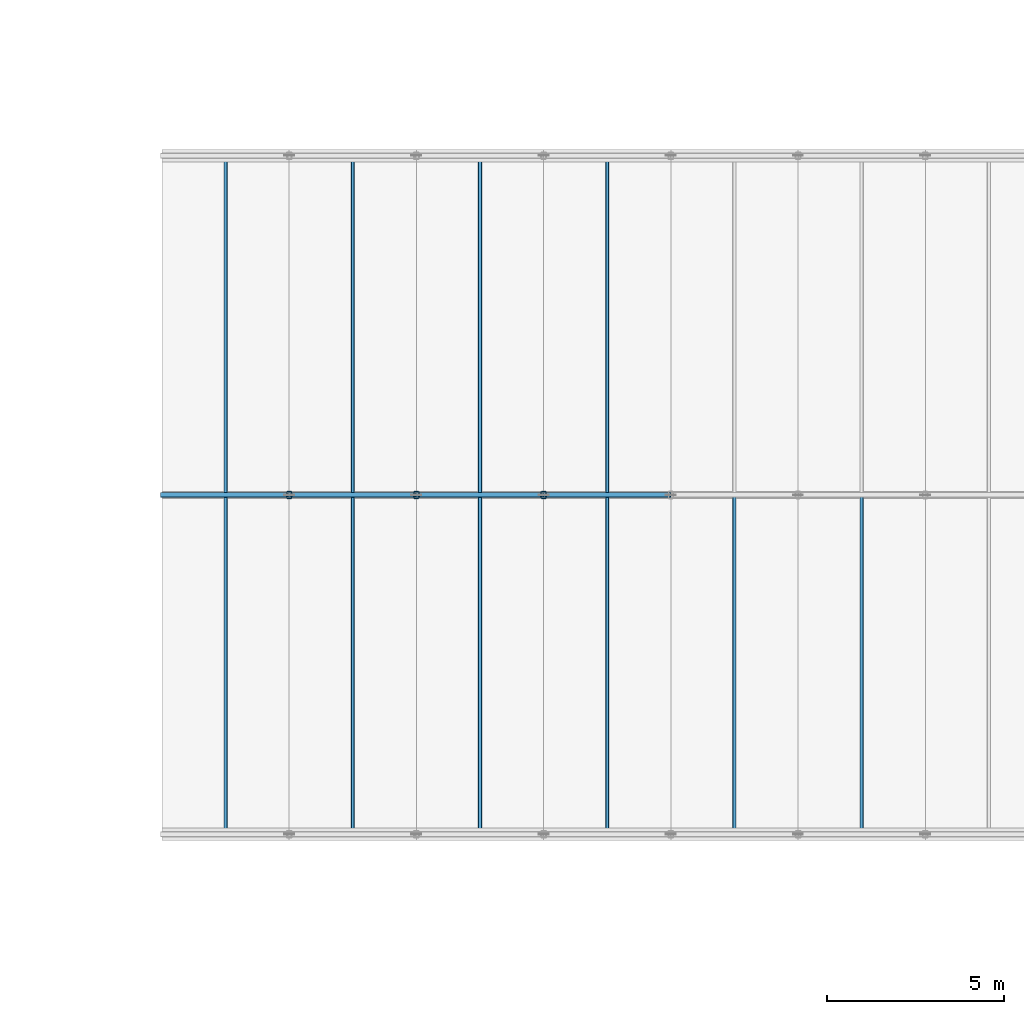
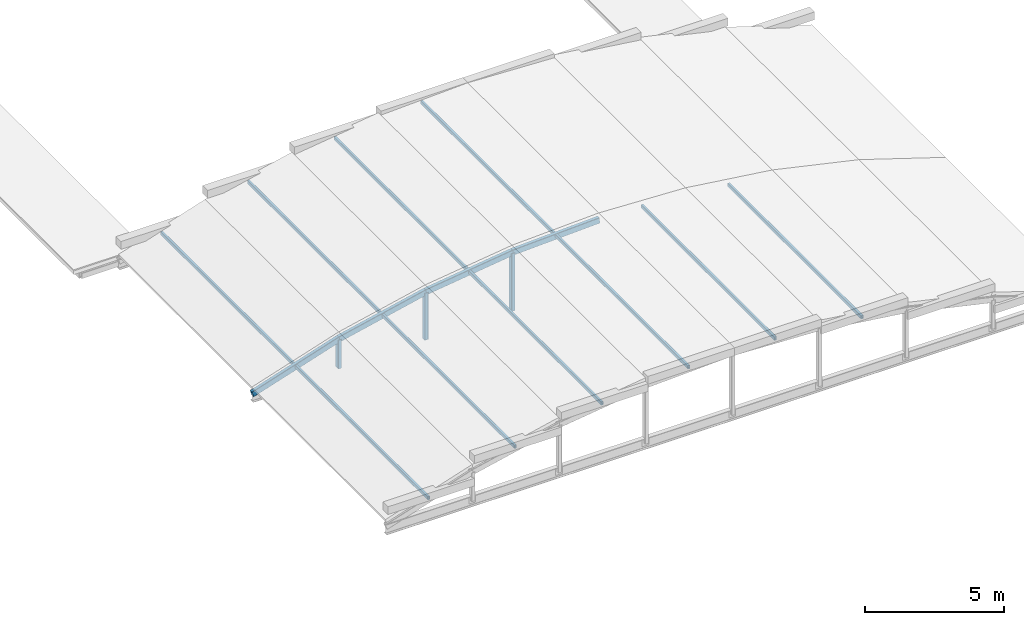
# One storey, part 9 of 70: 17 members.
"""IFC4 building model written with IfcOpenShell, lengths in metres."""

import ifcopenshell
import ifcopenshell.guid

model = None  # the IFC model being written
_history = None  # IfcOwnerHistory: only IFC2X3 demands one
_inside = {}  # id of a spatial element -> (the spatial element, [elements in it])
_under = {}  # id of a project, library or spatial element -> (it, [spatial elements below it])
_declared = {}  # id of a project -> (the project, [libraries it declares])
_typed = {}  # id of a type object -> (the type object, [elements of that type])
_made_of = {}  # id of a material, layer set ... -> (it, [elements and type objects made of it])


def new_model(schema):
    """Start an empty IFC model of exactly this schema.

    Asked for "IFC4X3", IfcOpenShell would pick the latest addendum, in which some entities
    have other attributes; the version numbers below select the first issue.
    IFC2X3 requires an IfcOwnerHistory on every rooted entity: one is made here for all.
    """
    global model, _history
    if schema == "IFC4X3":
        model = ifcopenshell.file(schema_version=(4, 3, 0, 0))
    else:
        model = ifcopenshell.file(schema=schema)
    _inside.clear()
    _under.clear()
    _declared.clear()
    _typed.clear()
    _made_of.clear()
    _history = None
    if model.schema == "IFC2X3":
        org = make("IfcOrganization", Name="unknown")
        user = make(
            "IfcPersonAndOrganization",
            ThePerson=make("IfcPerson", FamilyName="unknown"),
            TheOrganization=org,
        )
        app = make(
            "IfcApplication",
            ApplicationDeveloper=org,
            Version="unknown",
            ApplicationFullName="unknown",
            ApplicationIdentifier="unknown",
        )
        _history = make(
            "IfcOwnerHistory",
            OwningUser=user,
            OwningApplication=app,
            ChangeAction="ADDED",
            CreationDate=0,
        )
    return model


def make(cls, **values):
    """One entity of the class cls with the attributes given. An attribute that is None is left unset."""
    return model.create_entity(
        cls, **{name: value for name, value in values.items() if value is not None}
    )


def rooted(cls, **values):
    """An entity with a GlobalId (a new one), such as an element, a storey or a relation."""
    return make(cls, GlobalId=ifcopenshell.guid.new(), OwnerHistory=_history, **values)


def si_unit(unit_type, name, prefix=None):
    """IfcSIUnit, for example si_unit("LENGTHUNIT", "METRE", prefix="MILLI")."""
    return make("IfcSIUnit", UnitType=unit_type, Prefix=prefix, Name=name)


def assignment(units):
    """IfcUnitAssignment: the units of a project."""
    return None if units is None else make("IfcUnitAssignment", Units=units)


def point(xyz):
    """IfcCartesianPoint."""
    return None if xyz is None else make("IfcCartesianPoint", Coordinates=xyz)


def direction(xyz):
    """IfcDirection."""
    return None if xyz is None else make("IfcDirection", DirectionRatios=xyz)


def frame(location, z_axis=None, x_axis=None):
    """IfcAxis2Placement3D, a coordinate frame: its origin and axes. An axis left out is left unset."""
    return make(
        "IfcAxis2Placement3D",
        Location=point(location),
        Axis=direction(z_axis),
        RefDirection=direction(x_axis),
    )


def frame_2d(location, x_axis=None):
    """IfcAxis2Placement2D, a coordinate frame in the plane: its origin and x axis."""
    return make(
        "IfcAxis2Placement2D", Location=point(location), RefDirection=direction(x_axis)
    )


def origin():
    """The frame at (0, 0, 0) with its axes left unset."""
    return frame((0.0, 0.0, 0.0))


def origin_2d():
    """The frame at (0, 0) in the plane with its x axis left unset."""
    return frame_2d((0.0, 0.0))


def place(relative_to, where):
    """IfcLocalPlacement: puts the frame where relative to a parent placement (None: the world)."""
    return make(
        "IfcLocalPlacement", PlacementRelTo=relative_to, RelativePlacement=where
    )


def context(
    kind, dimensions, precision=None, world=None, true_north=None, identifier=None
):
    """IfcGeometricRepresentationContext, for example the 3D "Model" context."""
    return make(
        "IfcGeometricRepresentationContext",
        ContextIdentifier=identifier,
        ContextType=kind,
        CoordinateSpaceDimension=dimensions,
        Precision=precision,
        WorldCoordinateSystem=world,
        TrueNorth=true_north,
    )


def subcontext(parent, identifier, kind, view, scale=None):
    """IfcGeometricRepresentationSubContext, for example "Body" below "Model"."""
    return make(
        "IfcGeometricRepresentationSubContext",
        ContextIdentifier=identifier,
        ContextType=kind,
        ParentContext=parent,
        TargetScale=scale,
        TargetView=view,
    )


def project(units=None, contexts=None):
    """IfcProject with its units and contexts."""
    return rooted(
        "IfcProject",
        Name="project",
        RepresentationContexts=contexts,
        UnitsInContext=assignment(units),
    )


def spatial(cls, under=None, at=None, **own):
    """A site, building, storey or space (cls), placed at a placement, below another one or the project."""
    s = rooted(cls, ObjectPlacement=at, **own)
    if under is not None:
        _under.setdefault(under.id(), (under, []))[1].append(s)
    return s


def profile(cls, at=None, kind="AREA", **sizes):
    """A parametric profile (cls). Its sizes go by their IFC names, for example OverallWidth=200.0."""
    return make(cls, ProfileType=kind, Position=at, **sizes)


def hollow_rectangle(**sizes):
    """IfcRectangleHollowProfileDef."""
    return profile("IfcRectangleHollowProfileDef", **sizes)


def extrude(swept, where, along, depth):
    """IfcExtrudedAreaSolid: the profile swept, set in the frame where, extruded along a direction by depth."""
    return make(
        "IfcExtrudedAreaSolid",
        SweptArea=swept,
        Position=where,
        ExtrudedDirection=direction(along),
        Depth=depth,
    )


def shape(context_of_items, identifier, shape_type, items):
    """IfcShapeRepresentation: the items that make up one representation, for example the "Body"."""
    return make(
        "IfcShapeRepresentation",
        ContextOfItems=context_of_items,
        RepresentationIdentifier=identifier,
        RepresentationType=shape_type,
        Items=items,
    )


def material(Name=None, Category=None):
    """IfcMaterial."""
    return make("IfcMaterial", Name=Name, Category=Category)


def material_profile(
    of_material, cross_section, Name=None, Category=None, Priority=None
):
    """IfcMaterialProfile: a cross section and its material."""
    return make(
        "IfcMaterialProfile",
        Name=Name,
        Material=of_material,
        Profile=cross_section,
        Priority=Priority,
        Category=Category,
    )


def profile_set(profiles, Name=None, composite=None):
    """IfcMaterialProfileSet."""
    return make(
        "IfcMaterialProfileSet",
        Name=Name,
        MaterialProfiles=profiles,
        CompositeProfile=composite,
    )


def made_of(thing, what):
    """Note that an element or type object is made of a material, layer set ...; save() writes the relation."""
    if what is not None:
        _made_of.setdefault(what.id(), (what, []))[1].append(thing)
    return thing


def type_object(cls, material=None, **own):
    """A type object (cls), such as IfcWallType, which elements share."""
    return made_of(rooted(cls, **own), material)


def element(
    cls,
    number,
    at=None,
    inside=None,
    cuts=None,
    type_object=None,
    material=None,
    context=None,
    identifier="Body",
    shape_type=None,
    held_by="IfcProductDefinitionShape",
    body=None,
    shapes=None,
    **own,
):
    """One element of the class cls, such as IfcWall. Its Tag is "e" and its number.

    at: its placement. inside: the storey or other place that contains it. cuts: it is an
    opening in that element (IfcRelVoidsElement). A single representation is given by context,
    identifier, shape_type and body (its items); several are given by shapes. held_by: the class
    of the entity that holds the representations. save() writes the other relations.
    """
    e = rooted(cls, Tag="e%d" % number, ObjectPlacement=at, **own)
    if body is not None:
        shapes = [shape(context, identifier, shape_type, body)]
    if shapes is not None:
        e.Representation = make(held_by, Representations=shapes)
    if inside is not None:
        _inside.setdefault(inside.id(), (inside, []))[1].append(e)
    if cuts is not None:
        rooted(
            "IfcRelVoidsElement", RelatingBuildingElement=cuts, RelatedOpeningElement=e
        )
    if type_object is not None:
        _typed.setdefault(type_object.id(), (type_object, []))[1].append(e)
    return made_of(e, material)


def aggregate(whole, parts):
    """IfcRelAggregates: a whole, such as a stair, and the parts it consists of."""
    return rooted("IfcRelAggregates", RelatingObject=whole, RelatedObjects=parts)


def save(model, path):
    """Write the relations noted so far, then the file.

    IfcRelAggregates (storeys below a building ...), IfcRelContainedInSpatialStructure (elements
    in a storey), IfcRelDefinesByType, IfcRelAssociatesMaterial and IfcRelDeclares: one each for
    every whole, place, type object, material and project.
    """
    for whole, parts in _under.values():
        aggregate(whole, parts)
    for where, things in _inside.values():
        rooted(
            "IfcRelContainedInSpatialStructure",
            RelatedElements=things,
            RelatingStructure=where,
        )
    for kind, things in _typed.values():
        rooted("IfcRelDefinesByType", RelatedObjects=things, RelatingType=kind)
    for what, things in _made_of.values():
        rooted("IfcRelAssociatesMaterial", RelatedObjects=things, RelatingMaterial=what)
    for by, libraries in _declared.values():
        rooted("IfcRelDeclares", RelatingContext=by, RelatedDefinitions=libraries)
    model.write(path)


model = new_model("IFC4")

# Units and contexts
model_context = context("Model", 3, precision=1e-05, world=origin(), true_north=direction((0.0, 1.0)))
body_context = subcontext(model_context, "Body", "Model", "MODEL_VIEW")
ifc_project = project(units=[si_unit("LENGTHUNIT", "METRE"), si_unit("AREAUNIT", "SQUARE_METRE"), si_unit("VOLUMEUNIT", "CUBIC_METRE"), si_unit("PLANEANGLEUNIT", "RADIAN"), si_unit("MASSUNIT", "GRAM", prefix="KILO")], contexts=[model_context])

# Site, building, storey
site_placement = place(None, origin())
site = spatial("IfcSite", under=ifc_project, at=site_placement, CompositionType="ELEMENT")
building_placement = place(site_placement, origin())
building = spatial("IfcBuilding", under=site, at=building_placement, Name="Mavantir Sound Aquarium", CompositionType="ELEMENT")
storey_placement = place(building_placement, frame((0.0, 0.0, 27.0)))
storey = spatial("IfcBuildingStorey", under=building, at=storey_placement, Name="RF", CompositionType="ELEMENT", Elevation=27.0)

# Members
ifc_material = material(Name="Hollow Structural Steel ASTM A500 GrC", Category="steel")
ifc_material_profile_1 = material_profile(ifc_material, hollow_rectangle(XDim=0.14990234375, YDim=0.25, WallThickness=0.010009765625, InnerFilletRadius=0.010009765625, OuterFilletRadius=0.02001953125, at=origin_2d()), Name="RHS 250X150X10")
ifc_profile_set_1 = profile_set([ifc_material_profile_1], Name="Hollow Structural Steel ASTM A500 GrC")
member_type_1 = type_object("IfcMemberType", Name="MEM-AR-RHS250", PredefinedType="CHORD", material=ifc_profile_set_1)
member_1_placement = place(storey_placement, frame((67.199951171875, 24.0, -16.6298828125), z_axis=(0.951949270462, 0.0, 0.306255753362), x_axis=(0.0, 1.0, 0.0)))
element("IfcMember", 1, at=member_1_placement, inside=storey, type_object=member_type_1, Name="V7 entry vault arch rib 66", PredefinedType="CHORD", context=body_context, shape_type="SweptSolid", body=[
    extrude(hollow_rectangle(XDim=0.14990234375, YDim=0.25, WallThickness=0.010009765625, InnerFilletRadius=0.010009765625, OuterFilletRadius=0.02001953125, at=origin_2d()), origin(), (0.0, 0.0, 1.0), 3.78173828125),
])
member_2_placement = place(storey_placement, frame((70.800048828125, 24.0, -15.4716796875), z_axis=(0.975760104728, 0.0, 0.218842907178), x_axis=(0.0, 1.0, 0.0)))
element("IfcMember", 2, at=member_2_placement, inside=storey, type_object=member_type_1, Name="V7 entry vault arch rib 67", PredefinedType="CHORD", context=body_context, shape_type="SweptSolid", body=[
    extrude(hollow_rectangle(XDim=0.14990234375, YDim=0.25, WallThickness=0.010009765625, InnerFilletRadius=0.010009765625, OuterFilletRadius=0.02001953125, at=origin_2d()), origin(), (0.0, 0.0, 1.0), 3.689208984375),
])
member_3_placement = place(storey_placement, frame((74.39990234375, 24.0, -14.664306640625), z_axis=(0.991351936589, 0.0, 0.131230094956), x_axis=(0.0, 1.0, 0.0)))
element("IfcMember", 3, at=member_3_placement, inside=storey, type_object=member_type_1, Name="V7 entry vault arch rib 69", PredefinedType="CHORD", context=body_context, shape_type="SweptSolid", body=[
    extrude(hollow_rectangle(XDim=0.14990234375, YDim=0.25, WallThickness=0.010009765625, InnerFilletRadius=0.010009765625, OuterFilletRadius=0.02001953125, at=origin_2d()), origin(), (0.0, 0.0, 1.0), 3.631591796875),
])
member_4_placement = place(storey_placement, frame((78.0, 24.0, -14.187744140625), z_axis=(0.999041787102, 0.0, 0.043766512578), x_axis=(0.0, 1.0, 0.0)))
element("IfcMember", 4, at=member_4_placement, inside=storey, type_object=member_type_1, Name="V7 entry vault arch rib 71", PredefinedType="CHORD", context=body_context, shape_type="SweptSolid", body=[
    extrude(hollow_rectangle(XDim=0.14990234375, YDim=0.25, WallThickness=0.010009765625, InnerFilletRadius=0.010009765625, OuterFilletRadius=0.02001953125, at=origin_2d()), origin(), (0.0, 0.0, 1.0), 3.603515625),
])
ifc_material_profile_2 = material_profile(ifc_material, hollow_rectangle(XDim=0.10009765625, YDim=0.14990234375, WallThickness=0.008056640625, InnerFilletRadius=0.008056640625, OuterFilletRadius=0.01611328125, at=origin_2d()), Name="RHS 150X100X8")
ifc_profile_set_2 = profile_set([ifc_material_profile_2], Name="Hollow Structural Steel ASTM A500 GrC")
member_type_2 = type_object("IfcMemberType", Name="MEM-BR-RHS150", PredefinedType="PURLIN", material=ifc_profile_set_2)
for number, where, z_axis, x_axis, name in (
    (5, (69.0, 14.39990234375, -16.02490234375), (0.0, 1.0, 0.0), (-1.0, 0.0, 0.0), "V7 entry vault purlin 97"),
    (6, (72.60009765625, 14.39990234375, -15.033203125), (0.0, 1.0, 0.0), (-1.0, 0.0, 0.0), "V7 entry vault purlin 98"),
    (7, (76.199951171875, 14.39990234375, -14.384033203125), (0.0, 1.0, 0.0), (-1.0, 0.0, 0.0), "V7 entry vault purlin 99"),
    (8, (79.800048828125, 14.39990234375, -14.061279296875), (0.0, 1.0, 0.0), (-1.0, 0.0, 0.0), "V7 entry vault purlin 100"),
    (9, (83.39990234375, 14.39990234375, -14.061279296875), (0.0, 1.0, 0.0), (-1.0, 0.0, 0.0), "V7 entry vault purlin 101"),
    (10, (87.0, 14.39990234375, -14.384033203125), (0.0, 1.0, 0.0), (-1.0, 0.0, 0.0), "V7 entry vault purlin 102"),
    (11, (69.0, 24.0, -16.02490234375), (0.0, 1.0, 0.0), (-1.0, 0.0, 0.0), "V7 entry vault purlin 105"),
    (12, (72.60009765625, 24.0, -15.033203125), (0.0, 1.0, 0.0), (-1.0, 0.0, 0.0), "V7 entry vault purlin 106"),
    (13, (76.199951171875, 24.0, -14.384033203125), (0.0, 1.0, 0.0), (-1.0, 0.0, 0.0), "V7 entry vault purlin 107"),
    (14, (79.800048828125, 24.0, -14.061279296875), (0.0, 1.0, 0.0), (-1.0, 0.0, 0.0), "V7 entry vault purlin 108"),
):
    element("IfcMember", number, at=place(storey_placement, frame(where, z_axis=z_axis, x_axis=x_axis)), inside=storey, type_object=member_type_2, Name=name, PredefinedType="PURLIN", context=body_context, shape_type="SweptSolid", body=[
        extrude(hollow_rectangle(XDim=0.10009765625, YDim=0.14990234375, WallThickness=0.008056640625, InnerFilletRadius=0.008056640625, OuterFilletRadius=0.01611328125, at=origin_2d()), origin(), (0.0, 0.0, 1.0), 9.60009765625),
    ])
ifc_material_profile_3 = material_profile(ifc_material, hollow_rectangle(XDim=0.14990234375, YDim=0.199951171875, WallThickness=0.010009765625, InnerFilletRadius=0.010009765625, OuterFilletRadius=0.02001953125, at=origin_2d()), Name="RHS 200X150X10")
ifc_profile_set_3 = profile_set([ifc_material_profile_3], Name="Hollow Structural Steel ASTM A500 GrC")
member_type_3 = type_object("IfcMemberType", Name="MEM-BR-RHS200", PredefinedType="BRACE", material=ifc_profile_set_3)
member_5_placement = place(storey_placement, frame((70.800048828125, 24.0, -16.72998046875), z_axis=(0.0, 0.0, 1.0), x_axis=(1.0, 0.0, 0.0)))
element("IfcMember", 15, at=member_5_placement, inside=storey, type_object=member_type_3, Name="Steel truss web brace 68", PredefinedType="BRACE", context=body_context, shape_type="SweptSolid", body=[
    extrude(hollow_rectangle(XDim=0.14990234375, YDim=0.199951171875, WallThickness=0.010009765625, InnerFilletRadius=0.010009765625, OuterFilletRadius=0.02001953125, at=origin_2d()), origin(), (0.0, 0.0, 1.0), 1.25830078125),
])
member_6_placement = place(storey_placement, frame((74.39990234375, 24.0, -16.72998046875), z_axis=(0.0, 0.0, 1.0), x_axis=(1.0, 0.0, 0.0)))
element("IfcMember", 16, at=member_6_placement, inside=storey, type_object=member_type_3, Name="Steel truss web brace 70", PredefinedType="BRACE", context=body_context, shape_type="SweptSolid", body=[
    extrude(hollow_rectangle(XDim=0.14990234375, YDim=0.199951171875, WallThickness=0.010009765625, InnerFilletRadius=0.010009765625, OuterFilletRadius=0.02001953125, at=origin_2d()), origin(), (0.0, 0.0, 1.0), 2.065673828125),
])
member_7_placement = place(storey_placement, frame((78.0, 24.0, -16.72998046875), z_axis=(0.0, 0.0, 1.0), x_axis=(1.0, 0.0, 0.0)))
element("IfcMember", 17, at=member_7_placement, inside=storey, type_object=member_type_3, Name="Steel truss web brace 72", PredefinedType="BRACE", context=body_context, shape_type="SweptSolid", body=[
    extrude(hollow_rectangle(XDim=0.14990234375, YDim=0.199951171875, WallThickness=0.010009765625, InnerFilletRadius=0.010009765625, OuterFilletRadius=0.02001953125, at=origin_2d()), origin(), (0.0, 0.0, 1.0), 2.542236328125),
])

save(model, "model.ifc")
